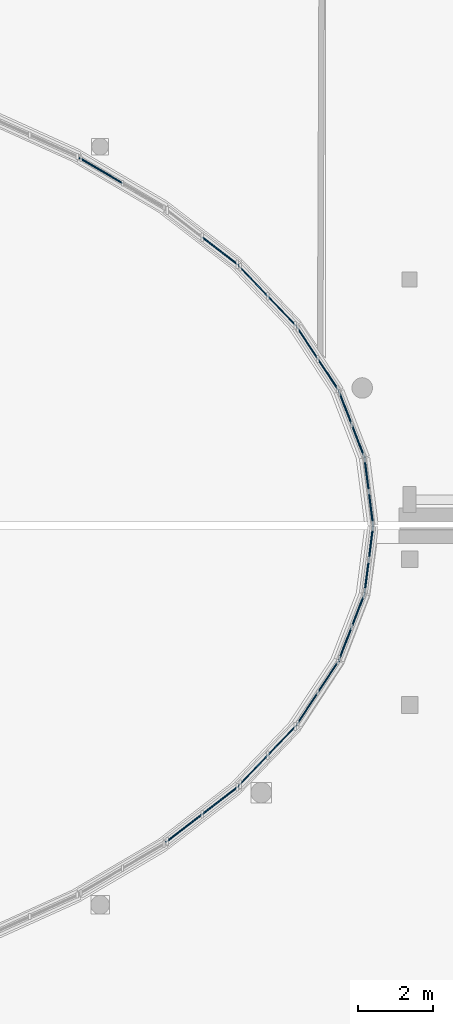
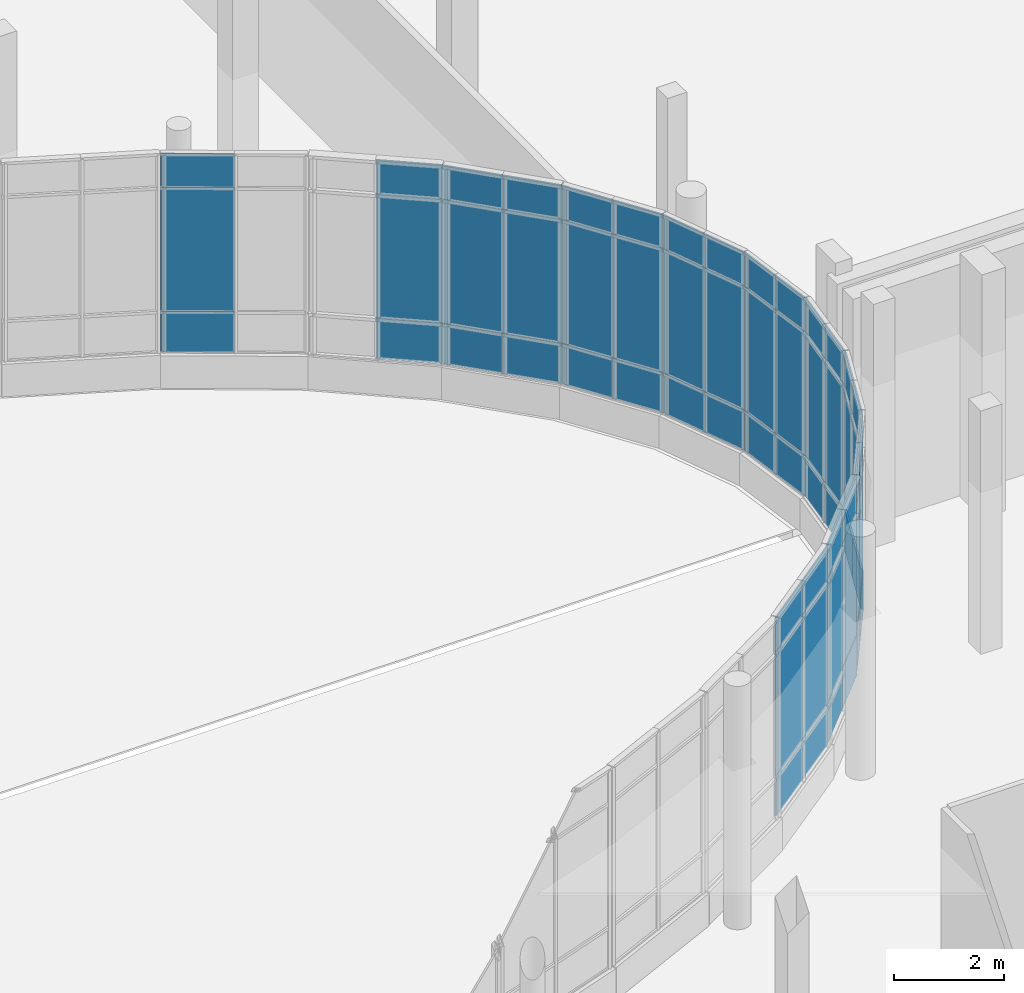
# One storey, part 35 of 84: 60 plates, 11 elements without a shape of their own.
"""IFC4 building model written with IfcOpenShell, lengths in metres."""

from ifc_helpers import new_model, si_unit, direction, frame, origin, origin_2d, place, context, subcontext, project, spatial, rectangle, extrude, material, layer, layer_set, type_object, element, aggregate, save


model = new_model("IFC4")

# Units and contexts
model_context = context("Model", 3, precision=1e-05, world=origin(), true_north=direction((0.0, 1.0)))
body_context = subcontext(model_context, "Body", "Model", "MODEL_VIEW")
ifc_project = project(units=[si_unit("LENGTHUNIT", "METRE"), si_unit("AREAUNIT", "SQUARE_METRE"), si_unit("VOLUMEUNIT", "CUBIC_METRE"), si_unit("PLANEANGLEUNIT", "RADIAN"), si_unit("MASSUNIT", "GRAM", prefix="KILO")], contexts=[model_context])

# Site, building, storey
site_placement = place(None, origin())
site = spatial("IfcSite", under=ifc_project, at=site_placement, CompositionType="ELEMENT")
building_placement = place(site_placement, origin())
building = spatial("IfcBuilding", under=site, at=building_placement, Name="Mzevani Central Library", CompositionType="ELEMENT")
storey_placement = place(building_placement, origin())
storey = spatial("IfcBuildingStorey", under=building, at=storey_placement, Name="L00", CompositionType="ELEMENT", Elevation=0.0)

# Curtain wall, plates
ifc_material_1 = material(Name="Thermally broken aluminium and Low-E triple glazing", Category="aluminium")
curtain_wall_type_1 = type_object("IfcCurtainWallType", Name="Reading Hall Northlight Curtain Wall", PredefinedType="NOTDEFINED", material=ifc_material_1)
curtain_wall_1_placement = place(storey_placement, origin())
curtain_wall_1 = element("IfcCurtainWall", 1, at=curtain_wall_1_placement, inside=storey, type_object=curtain_wall_type_1, Name="L00 Elliptical Court Curtain Wall 1", PredefinedType="NOTDEFINED")
ifc_material_2 = material(Name="Thermally broken aluminium AW-6060", Category="aluminium")
ifc_layer_1 = layer(ifc_material_2, 0.0419921875, Name="CW Insulated Spandrel Panel 42")
ifc_layer_set_1 = layer_set([ifc_layer_1], Name="Thermally broken aluminium AW-6060")
plate_type_1 = type_object("IfcPlateType", Name="CW Insulated Spandrel Panel 42", PredefinedType="CURTAIN_PANEL", material=ifc_layer_set_1)
plate_1_placement = place(storey_placement, frame((110.962646484375, 76.4580078125, 0.719970703125), z_axis=(0.0, 0.0, 1.0), x_axis=(-0.126167804319, 0.992008913848, 0.0)))
plate_1 = element("IfcPlate", 2, at=plate_1_placement, type_object=plate_type_1, Name="L00 Elliptical Court Curtain Wall 1 Spandrel Panel 1", PredefinedType="CURTAIN_PANEL", context=body_context, shape_type="SweptSolid", body=[
    extrude(rectangle(XDim=0.90869140625, YDim=0.0419921875, at=origin_2d()), origin(), (0.0, 0.0, 1.0), 0.89990234375),
])
plate_2_placement = place(storey_placement, frame((110.847900390625, 77.359619140625, 0.719970703125), z_axis=(0.0, 0.0, 1.0), x_axis=(-0.126167804319, 0.992008913848, 0.0)))
plate_2 = element("IfcPlate", 3, at=plate_2_placement, type_object=plate_type_1, Name="L00 Elliptical Court Curtain Wall 1 Spandrel Panel 4", PredefinedType="CURTAIN_PANEL", context=body_context, shape_type="SweptSolid", body=[
    extrude(rectangle(XDim=0.90869140625, YDim=0.0419921875, at=origin_2d()), origin(), (0.0, 0.0, 1.0), 0.89990234375),
])

curtain_wall_type_2 = type_object("IfcCurtainWallType", Name="Elliptical Court Unitised Curtain Wall", PredefinedType="NOTDEFINED", material=ifc_material_1)
curtain_wall_2_placement = place(storey_placement, origin())
curtain_wall_2 = element("IfcCurtainWall", 4, at=curtain_wall_2_placement, inside=storey, type_object=curtain_wall_type_2, Name="L00 Elliptical Court Curtain Wall 2", PredefinedType="NOTDEFINED")
plate_3_placement = place(storey_placement, frame((110.61865234375, 78.268310546875, 0.719970703125), z_axis=(0.0, 0.0, 1.0), x_axis=(-0.360061939687, 0.932928400034, 0.0)))
plate_3 = element("IfcPlate", 5, at=plate_3_placement, type_object=plate_type_1, Name="L00 Elliptical Court Curtain Wall 2 Spandrel Panel 1", PredefinedType="CURTAIN_PANEL", context=body_context, shape_type="SweptSolid", body=[
    extrude(rectangle(XDim=0.94970703125, YDim=0.0419921875, at=origin_2d()), origin(), (0.0, 0.0, 1.0), 0.89990234375),
])
plate_4_placement = place(storey_placement, frame((110.276611328125, 79.154296875, 0.719970703125), z_axis=(0.0, 0.0, 1.0), x_axis=(-0.360061939687, 0.932928400034, 0.0)))
plate_4 = element("IfcPlate", 6, at=plate_4_placement, type_object=plate_type_1, Name="L00 Elliptical Court Curtain Wall 2 Spandrel Panel 4", PredefinedType="CURTAIN_PANEL", context=body_context, shape_type="SweptSolid", body=[
    extrude(rectangle(XDim=0.94970703125, YDim=0.0419921875, at=origin_2d()), origin(), (0.0, 0.0, 1.0), 0.89990234375),
])

curtain_wall_3_placement = place(storey_placement, origin())
curtain_wall_3 = element("IfcCurtainWall", 7, at=curtain_wall_3_placement, inside=storey, type_object=curtain_wall_type_2, Name="L00 Elliptical Court Curtain Wall 3", PredefinedType="NOTDEFINED")
plate_5_placement = place(storey_placement, frame((109.82177734375, 80.04052734375, 0.719970703125), z_axis=(0.0, 0.0, 1.0), x_axis=(-0.550027505766, 0.835146539777, 0.0)))
plate_5 = element("IfcPlate", 8, at=plate_5_placement, type_object=plate_type_1, Name="L00 Elliptical Court Curtain Wall 3 Spandrel Panel 1", PredefinedType="CURTAIN_PANEL", context=body_context, shape_type="SweptSolid", body=[
    extrude(rectangle(XDim=1.0244140625, YDim=0.0419921875, at=origin_2d()), origin(), (0.0, 0.0, 1.0), 0.89990234375),
])
plate_6_placement = place(storey_placement, frame((109.25830078125, 80.89599609375, 0.719970703125), z_axis=(0.0, 0.0, 1.0), x_axis=(-0.550027505766, 0.835146539777, 0.0)))
plate_6 = element("IfcPlate", 9, at=plate_6_placement, type_object=plate_type_1, Name="L00 Elliptical Court Curtain Wall 3 Spandrel Panel 4", PredefinedType="CURTAIN_PANEL", context=body_context, shape_type="SweptSolid", body=[
    extrude(rectangle(XDim=1.0244140625, YDim=0.0419921875, at=origin_2d()), origin(), (0.0, 0.0, 1.0), 0.89990234375),
])

curtain_wall_4_placement = place(storey_placement, origin())
curtain_wall_4 = element("IfcCurtainWall", 10, at=curtain_wall_4_placement, inside=storey, type_object=curtain_wall_type_1, Name="L00 Elliptical Court Curtain Wall 4", PredefinedType="NOTDEFINED")
plate_7_placement = place(storey_placement, frame((108.585693359375, 81.7451171875, 0.719970703125), z_axis=(0.0, 0.0, 1.0), x_axis=(-0.691351660869, 0.722518429532, 0.0)))
plate_7 = element("IfcPlate", 11, at=plate_7_placement, type_object=plate_type_1, Name="L00 Elliptical Court Curtain Wall 4 Spandrel Panel 1", PredefinedType="CURTAIN_PANEL", context=body_context, shape_type="SweptSolid", body=[
    extrude(rectangle(XDim=1.121337890625, YDim=0.0419921875, at=origin_2d()), origin(), (0.0, 0.0, 1.0), 0.89990234375),
])
plate_8_placement = place(storey_placement, frame((107.810302734375, 82.55517578125, 0.719970703125), z_axis=(0.0, 0.0, 1.0), x_axis=(-0.691351660869, 0.722518429532, 0.0)))
plate_8 = element("IfcPlate", 12, at=plate_8_placement, type_object=plate_type_1, Name="L00 Elliptical Court Curtain Wall 4 Spandrel Panel 4", PredefinedType="CURTAIN_PANEL", context=body_context, shape_type="SweptSolid", body=[
    extrude(rectangle(XDim=1.121337890625, YDim=0.0419921875, at=origin_2d()), origin(), (0.0, 0.0, 1.0), 0.89990234375),
])

# Curtain wall, plate
curtain_wall_5_placement = place(storey_placement, origin())
curtain_wall_5 = element("IfcCurtainWall", 13, at=curtain_wall_5_placement, inside=storey, type_object=curtain_wall_type_2, Name="L00 Elliptical Court Curtain Wall 5", PredefinedType="NOTDEFINED")
plate_9_placement = place(storey_placement, frame((106.9306640625, 83.353271484375, 0.719970703125), z_axis=(0.0, 0.0, 1.0), x_axis=(-0.791828313632, 0.610743744734, 0.0)))
plate_9 = element("IfcPlate", 14, at=plate_9_placement, type_object=plate_type_1, Name="L00 Elliptical Court Curtain Wall 5 Spandrel Panel 1", PredefinedType="CURTAIN_PANEL", context=body_context, shape_type="SweptSolid", body=[
    extrude(rectangle(XDim=1.229736328125, YDim=0.0419921875, at=origin_2d()), origin(), (0.0, 0.0, 1.0), 0.89990234375),
])

curtain_wall_6_placement = place(storey_placement, origin())
curtain_wall_6 = element("IfcCurtainWall", 15, at=curtain_wall_6_placement, inside=storey, type_object=curtain_wall_type_2, Name="L00 Elliptical Court Curtain Wall 6", PredefinedType="NOTDEFINED")
plate_10_placement = place(storey_placement, frame((103.728759765625, 85.517822265625, 0.719970703125), z_axis=(0.0, 0.0, 1.0), x_axis=(-0.862137189544, 0.506674911956, 0.0)))
plate_10 = element("IfcPlate", 16, at=plate_10_placement, type_object=plate_type_1, Name="L00 Elliptical Court Curtain Wall 6 Spandrel Panel 4", PredefinedType="CURTAIN_PANEL", context=body_context, shape_type="SweptSolid", body=[
    extrude(rectangle(XDim=1.340576171875, YDim=0.0419921875, at=origin_2d()), origin(), (0.0, 0.0, 1.0), 0.89990234375),
])

# Curtain wall, plates
curtain_wall_7_placement = place(storey_placement, origin())
curtain_wall_7 = element("IfcCurtainWall", 17, at=curtain_wall_7_placement, inside=storey, type_object=curtain_wall_type_2, Name="L00 Elliptical Court Curtain Wall 44", PredefinedType="NOTDEFINED")
plate_11_placement = place(storey_placement, frame((105.956787109375, 67.8955078125, 0.719970703125), z_axis=(0.0, 0.0, 1.0), x_axis=(0.791828313632, 0.610743744734, 0.0)))
plate_11 = element("IfcPlate", 18, at=plate_11_placement, type_object=plate_type_1, Name="L00 Elliptical Court Curtain Wall 44 Spandrel Panel 1", PredefinedType="CURTAIN_PANEL", context=body_context, shape_type="SweptSolid", body=[
    extrude(rectangle(XDim=1.229736328125, YDim=0.0419921875, at=origin_2d()), origin(), (0.0, 0.0, 1.0), 0.89990234375),
])
plate_12_placement = place(storey_placement, frame((106.9306640625, 68.646728515625, 0.719970703125), z_axis=(0.0, 0.0, 1.0), x_axis=(0.791828313632, 0.610743744734, 0.0)))
plate_12 = element("IfcPlate", 19, at=plate_12_placement, type_object=plate_type_1, Name="L00 Elliptical Court Curtain Wall 44 Spandrel Panel 4", PredefinedType="CURTAIN_PANEL", context=body_context, shape_type="SweptSolid", body=[
    extrude(rectangle(XDim=1.229736328125, YDim=0.0419921875, at=origin_2d()), origin(), (0.0, 0.0, 1.0), 0.89990234375),
])

curtain_wall_8_placement = place(storey_placement, origin())
curtain_wall_8 = element("IfcCurtainWall", 20, at=curtain_wall_8_placement, inside=storey, type_object=curtain_wall_type_2, Name="L00 Elliptical Court Curtain Wall 45", PredefinedType="NOTDEFINED")
plate_13_placement = place(storey_placement, frame((107.810302734375, 69.44482421875, 0.719970703125), z_axis=(0.0, 0.0, 1.0), x_axis=(0.691351660869, 0.722518429532, 0.0)))
plate_13 = element("IfcPlate", 21, at=plate_13_placement, type_object=plate_type_1, Name="L00 Elliptical Court Curtain Wall 45 Spandrel Panel 1", PredefinedType="CURTAIN_PANEL", context=body_context, shape_type="SweptSolid", body=[
    extrude(rectangle(XDim=1.121337890625, YDim=0.0419921875, at=origin_2d()), origin(), (0.0, 0.0, 1.0), 0.89990234375),
])
plate_14_placement = place(storey_placement, frame((108.585693359375, 70.2548828125, 0.719970703125), z_axis=(0.0, 0.0, 1.0), x_axis=(0.691351660869, 0.722518429532, 0.0)))
plate_14 = element("IfcPlate", 22, at=plate_14_placement, type_object=plate_type_1, Name="L00 Elliptical Court Curtain Wall 45 Spandrel Panel 4", PredefinedType="CURTAIN_PANEL", context=body_context, shape_type="SweptSolid", body=[
    extrude(rectangle(XDim=1.121337890625, YDim=0.0419921875, at=origin_2d()), origin(), (0.0, 0.0, 1.0), 0.89990234375),
])

curtain_wall_9_placement = place(storey_placement, origin())
curtain_wall_9 = element("IfcCurtainWall", 23, at=curtain_wall_9_placement, inside=storey, type_object=curtain_wall_type_1, Name="L00 Elliptical Court Curtain Wall 46", PredefinedType="NOTDEFINED")
plate_15_placement = place(storey_placement, frame((109.25830078125, 71.10400390625, 0.719970703125), z_axis=(0.0, 0.0, 1.0), x_axis=(0.550027505766, 0.835146539777, 0.0)))
plate_15 = element("IfcPlate", 24, at=plate_15_placement, type_object=plate_type_1, Name="L00 Elliptical Court Curtain Wall 46 Spandrel Panel 1", PredefinedType="CURTAIN_PANEL", context=body_context, shape_type="SweptSolid", body=[
    extrude(rectangle(XDim=1.0244140625, YDim=0.0419921875, at=origin_2d()), origin(), (0.0, 0.0, 1.0), 0.89990234375),
])
plate_16_placement = place(storey_placement, frame((109.82177734375, 71.95947265625, 0.719970703125), z_axis=(0.0, 0.0, 1.0), x_axis=(0.550027505766, 0.835146539777, 0.0)))
plate_16 = element("IfcPlate", 25, at=plate_16_placement, type_object=plate_type_1, Name="L00 Elliptical Court Curtain Wall 46 Spandrel Panel 4", PredefinedType="CURTAIN_PANEL", context=body_context, shape_type="SweptSolid", body=[
    extrude(rectangle(XDim=1.0244140625, YDim=0.0419921875, at=origin_2d()), origin(), (0.0, 0.0, 1.0), 0.89990234375),
])

curtain_wall_10_placement = place(storey_placement, origin())
curtain_wall_10 = element("IfcCurtainWall", 26, at=curtain_wall_10_placement, inside=storey, type_object=curtain_wall_type_2, Name="L00 Elliptical Court Curtain Wall 47", PredefinedType="NOTDEFINED")
plate_17_placement = place(storey_placement, frame((110.276611328125, 72.845703125, 0.719970703125), z_axis=(0.0, 0.0, 1.0), x_axis=(0.360061939687, 0.932928400034, 0.0)))
plate_17 = element("IfcPlate", 27, at=plate_17_placement, type_object=plate_type_1, Name="L00 Elliptical Court Curtain Wall 47 Spandrel Panel 1", PredefinedType="CURTAIN_PANEL", context=body_context, shape_type="SweptSolid", body=[
    extrude(rectangle(XDim=0.94970703125, YDim=0.0419921875, at=origin_2d()), origin(), (0.0, 0.0, 1.0), 0.89990234375),
])
plate_18_placement = place(storey_placement, frame((110.61865234375, 73.731689453125, 0.719970703125), z_axis=(0.0, 0.0, 1.0), x_axis=(0.360061939687, 0.932928400034, 0.0)))
plate_18 = element("IfcPlate", 28, at=plate_18_placement, type_object=plate_type_1, Name="L00 Elliptical Court Curtain Wall 47 Spandrel Panel 4", PredefinedType="CURTAIN_PANEL", context=body_context, shape_type="SweptSolid", body=[
    extrude(rectangle(XDim=0.94970703125, YDim=0.0419921875, at=origin_2d()), origin(), (0.0, 0.0, 1.0), 0.89990234375),
])

curtain_wall_11_placement = place(storey_placement, origin())
curtain_wall_11 = element("IfcCurtainWall", 29, at=curtain_wall_11_placement, inside=storey, type_object=curtain_wall_type_2, Name="L00 Elliptical Court Curtain Wall 48", PredefinedType="NOTDEFINED")
plate_19_placement = place(storey_placement, frame((110.847900390625, 74.640380859375, 0.719970703125), z_axis=(0.0, 0.0, 1.0), x_axis=(0.126167804319, 0.992008913848, 0.0)))
plate_19 = element("IfcPlate", 30, at=plate_19_placement, type_object=plate_type_1, Name="L00 Elliptical Court Curtain Wall 48 Spandrel Panel 1", PredefinedType="CURTAIN_PANEL", context=body_context, shape_type="SweptSolid", body=[
    extrude(rectangle(XDim=0.90869140625, YDim=0.0419921875, at=origin_2d()), origin(), (0.0, 0.0, 1.0), 0.89990234375),
])
plate_20_placement = place(storey_placement, frame((110.962646484375, 75.5419921875, 0.719970703125), z_axis=(0.0, 0.0, 1.0), x_axis=(0.126167804319, 0.992008913848, 0.0)))
plate_20 = element("IfcPlate", 31, at=plate_20_placement, type_object=plate_type_1, Name="L00 Elliptical Court Curtain Wall 48 Spandrel Panel 4", PredefinedType="CURTAIN_PANEL", context=body_context, shape_type="SweptSolid", body=[
    extrude(rectangle(XDim=0.90869140625, YDim=0.0419921875, at=origin_2d()), origin(), (0.0, 0.0, 1.0), 0.89990234375),
])

# Plate
ifc_material_3 = material(Name="Low-E triple glazing glass", Category="glass")
ifc_layer_2 = layer(ifc_material_3, 0.028076171875, Name="CW Triple Glazed Vision Panel 28")
ifc_layer_set_2 = layer_set([ifc_layer_2], Name="Low-E triple glazing glass")
plate_type_2 = type_object("IfcPlateType", Name="CW Triple Glazed Vision Panel 28", PredefinedType="CURTAIN_PANEL", material=ifc_layer_set_2)
plate_21_placement = place(storey_placement, frame((110.962646484375, 76.4580078125, 1.6201171875), z_axis=(0.0, 0.0, 1.0), x_axis=(-0.126167804319, 0.992008913848, 0.0)))
plate_21 = element("IfcPlate", 32, at=plate_21_placement, type_object=plate_type_2, Name="L00 Elliptical Court Curtain Wall 1 Vision Panel 2", PredefinedType="CURTAIN_PANEL", context=body_context, shape_type="SweptSolid", body=[
    extrude(rectangle(XDim=0.90869140625, YDim=0.028076171875, at=origin_2d()), origin(), (0.0, 0.0, 1.0), 2.75),
])

plate_22_placement = place(storey_placement, frame((110.962646484375, 76.4580078125, 4.3701171875), z_axis=(0.0, 0.0, 1.0), x_axis=(-0.126167804319, 0.992008913848, 0.0)))
plate_22 = element("IfcPlate", 33, at=plate_22_placement, type_object=plate_type_2, Name="L00 Elliptical Court Curtain Wall 1 Vision Panel 3", PredefinedType="CURTAIN_PANEL", context=body_context, shape_type="SweptSolid", body=[
    extrude(rectangle(XDim=0.90869140625, YDim=0.028076171875, at=origin_2d()), origin(), (0.0, 0.0, 1.0), 0.75),
])

plate_23_placement = place(storey_placement, frame((110.847900390625, 77.359619140625, 1.6201171875), z_axis=(0.0, 0.0, 1.0), x_axis=(-0.126167804319, 0.992008913848, 0.0)))
plate_23 = element("IfcPlate", 34, at=plate_23_placement, type_object=plate_type_2, Name="L00 Elliptical Court Curtain Wall 1 Vision Panel 5", PredefinedType="CURTAIN_PANEL", context=body_context, shape_type="SweptSolid", body=[
    extrude(rectangle(XDim=0.90869140625, YDim=0.028076171875, at=origin_2d()), origin(), (0.0, 0.0, 1.0), 2.75),
])

plate_24_placement = place(storey_placement, frame((110.847900390625, 77.359619140625, 4.3701171875), z_axis=(0.0, 0.0, 1.0), x_axis=(-0.126167804319, 0.992008913848, 0.0)))
plate_24 = element("IfcPlate", 35, at=plate_24_placement, type_object=plate_type_2, Name="L00 Elliptical Court Curtain Wall 1 Vision Panel 6", PredefinedType="CURTAIN_PANEL", context=body_context, shape_type="SweptSolid", body=[
    extrude(rectangle(XDim=0.90869140625, YDim=0.028076171875, at=origin_2d()), origin(), (0.0, 0.0, 1.0), 0.75),
])

aggregate(curtain_wall_1, [plate_1, plate_21, plate_22, plate_2, plate_23, plate_24])

plate_25_placement = place(storey_placement, frame((110.61865234375, 78.268310546875, 1.6201171875), z_axis=(0.0, 0.0, 1.0), x_axis=(-0.360061939687, 0.932928400034, 0.0)))
plate_25 = element("IfcPlate", 36, at=plate_25_placement, type_object=plate_type_2, Name="L00 Elliptical Court Curtain Wall 2 Vision Panel 2", PredefinedType="CURTAIN_PANEL", context=body_context, shape_type="SweptSolid", body=[
    extrude(rectangle(XDim=0.94970703125, YDim=0.028076171875, at=origin_2d()), origin(), (0.0, 0.0, 1.0), 2.75),
])

plate_26_placement = place(storey_placement, frame((110.61865234375, 78.268310546875, 4.3701171875), z_axis=(0.0, 0.0, 1.0), x_axis=(-0.360061939687, 0.932928400034, 0.0)))
plate_26 = element("IfcPlate", 37, at=plate_26_placement, type_object=plate_type_2, Name="L00 Elliptical Court Curtain Wall 2 Vision Panel 3", PredefinedType="CURTAIN_PANEL", context=body_context, shape_type="SweptSolid", body=[
    extrude(rectangle(XDim=0.94970703125, YDim=0.028076171875, at=origin_2d()), origin(), (0.0, 0.0, 1.0), 0.75),
])

plate_27_placement = place(storey_placement, frame((110.276611328125, 79.154296875, 1.6201171875), z_axis=(0.0, 0.0, 1.0), x_axis=(-0.360061939687, 0.932928400034, 0.0)))
plate_27 = element("IfcPlate", 38, at=plate_27_placement, type_object=plate_type_2, Name="L00 Elliptical Court Curtain Wall 2 Vision Panel 5", PredefinedType="CURTAIN_PANEL", context=body_context, shape_type="SweptSolid", body=[
    extrude(rectangle(XDim=0.94970703125, YDim=0.028076171875, at=origin_2d()), origin(), (0.0, 0.0, 1.0), 2.75),
])

plate_28_placement = place(storey_placement, frame((110.276611328125, 79.154296875, 4.3701171875), z_axis=(0.0, 0.0, 1.0), x_axis=(-0.360061939687, 0.932928400034, 0.0)))
plate_28 = element("IfcPlate", 39, at=plate_28_placement, type_object=plate_type_2, Name="L00 Elliptical Court Curtain Wall 2 Vision Panel 6", PredefinedType="CURTAIN_PANEL", context=body_context, shape_type="SweptSolid", body=[
    extrude(rectangle(XDim=0.94970703125, YDim=0.028076171875, at=origin_2d()), origin(), (0.0, 0.0, 1.0), 0.75),
])

aggregate(curtain_wall_2, [plate_3, plate_25, plate_26, plate_4, plate_27, plate_28])

plate_29_placement = place(storey_placement, frame((109.82177734375, 80.04052734375, 1.6201171875), z_axis=(0.0, 0.0, 1.0), x_axis=(-0.550027505766, 0.835146539777, 0.0)))
plate_29 = element("IfcPlate", 40, at=plate_29_placement, type_object=plate_type_2, Name="L00 Elliptical Court Curtain Wall 3 Vision Panel 2", PredefinedType="CURTAIN_PANEL", context=body_context, shape_type="SweptSolid", body=[
    extrude(rectangle(XDim=1.0244140625, YDim=0.028076171875, at=origin_2d()), origin(), (0.0, 0.0, 1.0), 2.75),
])

plate_30_placement = place(storey_placement, frame((109.82177734375, 80.04052734375, 4.3701171875), z_axis=(0.0, 0.0, 1.0), x_axis=(-0.550027505766, 0.835146539777, 0.0)))
plate_30 = element("IfcPlate", 41, at=plate_30_placement, type_object=plate_type_2, Name="L00 Elliptical Court Curtain Wall 3 Vision Panel 3", PredefinedType="CURTAIN_PANEL", context=body_context, shape_type="SweptSolid", body=[
    extrude(rectangle(XDim=1.0244140625, YDim=0.028076171875, at=origin_2d()), origin(), (0.0, 0.0, 1.0), 0.75),
])

plate_31_placement = place(storey_placement, frame((109.25830078125, 80.89599609375, 1.6201171875), z_axis=(0.0, 0.0, 1.0), x_axis=(-0.550027505766, 0.835146539777, 0.0)))
plate_31 = element("IfcPlate", 42, at=plate_31_placement, type_object=plate_type_2, Name="L00 Elliptical Court Curtain Wall 3 Vision Panel 5", PredefinedType="CURTAIN_PANEL", context=body_context, shape_type="SweptSolid", body=[
    extrude(rectangle(XDim=1.0244140625, YDim=0.028076171875, at=origin_2d()), origin(), (0.0, 0.0, 1.0), 2.75),
])

plate_32_placement = place(storey_placement, frame((109.25830078125, 80.89599609375, 4.3701171875), z_axis=(0.0, 0.0, 1.0), x_axis=(-0.550027505766, 0.835146539777, 0.0)))
plate_32 = element("IfcPlate", 43, at=plate_32_placement, type_object=plate_type_2, Name="L00 Elliptical Court Curtain Wall 3 Vision Panel 6", PredefinedType="CURTAIN_PANEL", context=body_context, shape_type="SweptSolid", body=[
    extrude(rectangle(XDim=1.0244140625, YDim=0.028076171875, at=origin_2d()), origin(), (0.0, 0.0, 1.0), 0.75),
])

aggregate(curtain_wall_3, [plate_5, plate_29, plate_30, plate_6, plate_31, plate_32])

plate_33_placement = place(storey_placement, frame((108.585693359375, 81.7451171875, 1.6201171875), z_axis=(0.0, 0.0, 1.0), x_axis=(-0.691351660869, 0.722518429532, 0.0)))
plate_33 = element("IfcPlate", 44, at=plate_33_placement, type_object=plate_type_2, Name="L00 Elliptical Court Curtain Wall 4 Vision Panel 2", PredefinedType="CURTAIN_PANEL", context=body_context, shape_type="SweptSolid", body=[
    extrude(rectangle(XDim=1.121337890625, YDim=0.028076171875, at=origin_2d()), origin(), (0.0, 0.0, 1.0), 2.75),
])

plate_34_placement = place(storey_placement, frame((108.585693359375, 81.7451171875, 4.3701171875), z_axis=(0.0, 0.0, 1.0), x_axis=(-0.691351660869, 0.722518429532, 0.0)))
plate_34 = element("IfcPlate", 45, at=plate_34_placement, type_object=plate_type_2, Name="L00 Elliptical Court Curtain Wall 4 Vision Panel 3", PredefinedType="CURTAIN_PANEL", context=body_context, shape_type="SweptSolid", body=[
    extrude(rectangle(XDim=1.121337890625, YDim=0.028076171875, at=origin_2d()), origin(), (0.0, 0.0, 1.0), 0.75),
])

plate_35_placement = place(storey_placement, frame((107.810302734375, 82.55517578125, 1.6201171875), z_axis=(0.0, 0.0, 1.0), x_axis=(-0.691351660869, 0.722518429532, 0.0)))
plate_35 = element("IfcPlate", 46, at=plate_35_placement, type_object=plate_type_2, Name="L00 Elliptical Court Curtain Wall 4 Vision Panel 5", PredefinedType="CURTAIN_PANEL", context=body_context, shape_type="SweptSolid", body=[
    extrude(rectangle(XDim=1.121337890625, YDim=0.028076171875, at=origin_2d()), origin(), (0.0, 0.0, 1.0), 2.75),
])

plate_36_placement = place(storey_placement, frame((107.810302734375, 82.55517578125, 4.3701171875), z_axis=(0.0, 0.0, 1.0), x_axis=(-0.691351660869, 0.722518429532, 0.0)))
plate_36 = element("IfcPlate", 47, at=plate_36_placement, type_object=plate_type_2, Name="L00 Elliptical Court Curtain Wall 4 Vision Panel 6", PredefinedType="CURTAIN_PANEL", context=body_context, shape_type="SweptSolid", body=[
    extrude(rectangle(XDim=1.121337890625, YDim=0.028076171875, at=origin_2d()), origin(), (0.0, 0.0, 1.0), 0.75),
])

aggregate(curtain_wall_4, [plate_7, plate_33, plate_34, plate_8, plate_35, plate_36])

plate_37_placement = place(storey_placement, frame((106.9306640625, 83.353271484375, 1.6201171875), z_axis=(0.0, 0.0, 1.0), x_axis=(-0.791828313632, 0.610743744734, 0.0)))
plate_37 = element("IfcPlate", 48, at=plate_37_placement, type_object=plate_type_2, Name="L00 Elliptical Court Curtain Wall 5 Vision Panel 2", PredefinedType="CURTAIN_PANEL", context=body_context, shape_type="SweptSolid", body=[
    extrude(rectangle(XDim=1.229736328125, YDim=0.028076171875, at=origin_2d()), origin(), (0.0, 0.0, 1.0), 2.75),
])

plate_38_placement = place(storey_placement, frame((106.9306640625, 83.353271484375, 4.3701171875), z_axis=(0.0, 0.0, 1.0), x_axis=(-0.791828313632, 0.610743744734, 0.0)))
plate_38 = element("IfcPlate", 49, at=plate_38_placement, type_object=plate_type_2, Name="L00 Elliptical Court Curtain Wall 5 Vision Panel 3", PredefinedType="CURTAIN_PANEL", context=body_context, shape_type="SweptSolid", body=[
    extrude(rectangle(XDim=1.229736328125, YDim=0.028076171875, at=origin_2d()), origin(), (0.0, 0.0, 1.0), 0.75),
])

aggregate(curtain_wall_5, [plate_9, plate_37, plate_38])

plate_39_placement = place(storey_placement, frame((103.728759765625, 85.517822265625, 1.6201171875), z_axis=(0.0, 0.0, 1.0), x_axis=(-0.862137189544, 0.506674911956, 0.0)))
plate_39 = element("IfcPlate", 50, at=plate_39_placement, type_object=plate_type_2, Name="L00 Elliptical Court Curtain Wall 6 Vision Panel 5", PredefinedType="CURTAIN_PANEL", context=body_context, shape_type="SweptSolid", body=[
    extrude(rectangle(XDim=1.340576171875, YDim=0.028076171875, at=origin_2d()), origin(), (0.0, 0.0, 1.0), 2.75),
])

plate_40_placement = place(storey_placement, frame((103.728759765625, 85.517822265625, 4.3701171875), z_axis=(0.0, 0.0, 1.0), x_axis=(-0.862137189544, 0.506674911956, 0.0)))
plate_40 = element("IfcPlate", 51, at=plate_40_placement, type_object=plate_type_2, Name="L00 Elliptical Court Curtain Wall 6 Vision Panel 6", PredefinedType="CURTAIN_PANEL", context=body_context, shape_type="SweptSolid", body=[
    extrude(rectangle(XDim=1.340576171875, YDim=0.028076171875, at=origin_2d()), origin(), (0.0, 0.0, 1.0), 0.75),
])

aggregate(curtain_wall_6, [plate_10, plate_39, plate_40])

plate_41_placement = place(storey_placement, frame((105.956787109375, 67.8955078125, 1.6201171875), z_axis=(0.0, 0.0, 1.0), x_axis=(0.791828313632, 0.610743744734, 0.0)))
plate_41 = element("IfcPlate", 52, at=plate_41_placement, type_object=plate_type_2, Name="L00 Elliptical Court Curtain Wall 44 Vision Panel 2", PredefinedType="CURTAIN_PANEL", context=body_context, shape_type="SweptSolid", body=[
    extrude(rectangle(XDim=1.229736328125, YDim=0.028076171875, at=origin_2d()), origin(), (0.0, 0.0, 1.0), 2.75),
])

plate_42_placement = place(storey_placement, frame((105.956787109375, 67.8955078125, 4.3701171875), z_axis=(0.0, 0.0, 1.0), x_axis=(0.791828313632, 0.610743744734, 0.0)))
plate_42 = element("IfcPlate", 53, at=plate_42_placement, type_object=plate_type_2, Name="L00 Elliptical Court Curtain Wall 44 Vision Panel 3", PredefinedType="CURTAIN_PANEL", context=body_context, shape_type="SweptSolid", body=[
    extrude(rectangle(XDim=1.229736328125, YDim=0.028076171875, at=origin_2d()), origin(), (0.0, 0.0, 1.0), 0.75),
])

plate_43_placement = place(storey_placement, frame((106.9306640625, 68.646728515625, 1.6201171875), z_axis=(0.0, 0.0, 1.0), x_axis=(0.791828313632, 0.610743744734, 0.0)))
plate_43 = element("IfcPlate", 54, at=plate_43_placement, type_object=plate_type_2, Name="L00 Elliptical Court Curtain Wall 44 Vision Panel 5", PredefinedType="CURTAIN_PANEL", context=body_context, shape_type="SweptSolid", body=[
    extrude(rectangle(XDim=1.229736328125, YDim=0.028076171875, at=origin_2d()), origin(), (0.0, 0.0, 1.0), 2.75),
])

plate_44_placement = place(storey_placement, frame((106.9306640625, 68.646728515625, 4.3701171875), z_axis=(0.0, 0.0, 1.0), x_axis=(0.791828313632, 0.610743744734, 0.0)))
plate_44 = element("IfcPlate", 55, at=plate_44_placement, type_object=plate_type_2, Name="L00 Elliptical Court Curtain Wall 44 Vision Panel 6", PredefinedType="CURTAIN_PANEL", context=body_context, shape_type="SweptSolid", body=[
    extrude(rectangle(XDim=1.229736328125, YDim=0.028076171875, at=origin_2d()), origin(), (0.0, 0.0, 1.0), 0.75),
])

aggregate(curtain_wall_7, [plate_11, plate_41, plate_42, plate_12, plate_43, plate_44])

plate_45_placement = place(storey_placement, frame((107.810302734375, 69.44482421875, 1.6201171875), z_axis=(0.0, 0.0, 1.0), x_axis=(0.691351660869, 0.722518429532, 0.0)))
plate_45 = element("IfcPlate", 56, at=plate_45_placement, type_object=plate_type_2, Name="L00 Elliptical Court Curtain Wall 45 Vision Panel 2", PredefinedType="CURTAIN_PANEL", context=body_context, shape_type="SweptSolid", body=[
    extrude(rectangle(XDim=1.121337890625, YDim=0.028076171875, at=origin_2d()), origin(), (0.0, 0.0, 1.0), 2.75),
])

plate_46_placement = place(storey_placement, frame((107.810302734375, 69.44482421875, 4.3701171875), z_axis=(0.0, 0.0, 1.0), x_axis=(0.691351660869, 0.722518429532, 0.0)))
plate_46 = element("IfcPlate", 57, at=plate_46_placement, type_object=plate_type_2, Name="L00 Elliptical Court Curtain Wall 45 Vision Panel 3", PredefinedType="CURTAIN_PANEL", context=body_context, shape_type="SweptSolid", body=[
    extrude(rectangle(XDim=1.121337890625, YDim=0.028076171875, at=origin_2d()), origin(), (0.0, 0.0, 1.0), 0.75),
])

plate_47_placement = place(storey_placement, frame((108.585693359375, 70.2548828125, 1.6201171875), z_axis=(0.0, 0.0, 1.0), x_axis=(0.691351660869, 0.722518429532, 0.0)))
plate_47 = element("IfcPlate", 58, at=plate_47_placement, type_object=plate_type_2, Name="L00 Elliptical Court Curtain Wall 45 Vision Panel 5", PredefinedType="CURTAIN_PANEL", context=body_context, shape_type="SweptSolid", body=[
    extrude(rectangle(XDim=1.121337890625, YDim=0.028076171875, at=origin_2d()), origin(), (0.0, 0.0, 1.0), 2.75),
])

plate_48_placement = place(storey_placement, frame((108.585693359375, 70.2548828125, 4.3701171875), z_axis=(0.0, 0.0, 1.0), x_axis=(0.691351660869, 0.722518429532, 0.0)))
plate_48 = element("IfcPlate", 59, at=plate_48_placement, type_object=plate_type_2, Name="L00 Elliptical Court Curtain Wall 45 Vision Panel 6", PredefinedType="CURTAIN_PANEL", context=body_context, shape_type="SweptSolid", body=[
    extrude(rectangle(XDim=1.121337890625, YDim=0.028076171875, at=origin_2d()), origin(), (0.0, 0.0, 1.0), 0.75),
])

aggregate(curtain_wall_8, [plate_13, plate_45, plate_46, plate_14, plate_47, plate_48])

plate_49_placement = place(storey_placement, frame((109.25830078125, 71.10400390625, 1.6201171875), z_axis=(0.0, 0.0, 1.0), x_axis=(0.550027505766, 0.835146539777, 0.0)))
plate_49 = element("IfcPlate", 60, at=plate_49_placement, type_object=plate_type_2, Name="L00 Elliptical Court Curtain Wall 46 Vision Panel 2", PredefinedType="CURTAIN_PANEL", context=body_context, shape_type="SweptSolid", body=[
    extrude(rectangle(XDim=1.0244140625, YDim=0.028076171875, at=origin_2d()), origin(), (0.0, 0.0, 1.0), 2.75),
])

plate_50_placement = place(storey_placement, frame((109.25830078125, 71.10400390625, 4.3701171875), z_axis=(0.0, 0.0, 1.0), x_axis=(0.550027505766, 0.835146539777, 0.0)))
plate_50 = element("IfcPlate", 61, at=plate_50_placement, type_object=plate_type_2, Name="L00 Elliptical Court Curtain Wall 46 Vision Panel 3", PredefinedType="CURTAIN_PANEL", context=body_context, shape_type="SweptSolid", body=[
    extrude(rectangle(XDim=1.0244140625, YDim=0.028076171875, at=origin_2d()), origin(), (0.0, 0.0, 1.0), 0.75),
])

plate_51_placement = place(storey_placement, frame((109.82177734375, 71.95947265625, 1.6201171875), z_axis=(0.0, 0.0, 1.0), x_axis=(0.550027505766, 0.835146539777, 0.0)))
plate_51 = element("IfcPlate", 62, at=plate_51_placement, type_object=plate_type_2, Name="L00 Elliptical Court Curtain Wall 46 Vision Panel 5", PredefinedType="CURTAIN_PANEL", context=body_context, shape_type="SweptSolid", body=[
    extrude(rectangle(XDim=1.0244140625, YDim=0.028076171875, at=origin_2d()), origin(), (0.0, 0.0, 1.0), 2.75),
])

plate_52_placement = place(storey_placement, frame((109.82177734375, 71.95947265625, 4.3701171875), z_axis=(0.0, 0.0, 1.0), x_axis=(0.550027505766, 0.835146539777, 0.0)))
plate_52 = element("IfcPlate", 63, at=plate_52_placement, type_object=plate_type_2, Name="L00 Elliptical Court Curtain Wall 46 Vision Panel 6", PredefinedType="CURTAIN_PANEL", context=body_context, shape_type="SweptSolid", body=[
    extrude(rectangle(XDim=1.0244140625, YDim=0.028076171875, at=origin_2d()), origin(), (0.0, 0.0, 1.0), 0.75),
])

aggregate(curtain_wall_9, [plate_15, plate_49, plate_50, plate_16, plate_51, plate_52])

plate_53_placement = place(storey_placement, frame((110.276611328125, 72.845703125, 1.6201171875), z_axis=(0.0, 0.0, 1.0), x_axis=(0.360061939687, 0.932928400034, 0.0)))
plate_53 = element("IfcPlate", 64, at=plate_53_placement, type_object=plate_type_2, Name="L00 Elliptical Court Curtain Wall 47 Vision Panel 2", PredefinedType="CURTAIN_PANEL", context=body_context, shape_type="SweptSolid", body=[
    extrude(rectangle(XDim=0.94970703125, YDim=0.028076171875, at=origin_2d()), origin(), (0.0, 0.0, 1.0), 2.75),
])

plate_54_placement = place(storey_placement, frame((110.276611328125, 72.845703125, 4.3701171875), z_axis=(0.0, 0.0, 1.0), x_axis=(0.360061939687, 0.932928400034, 0.0)))
plate_54 = element("IfcPlate", 65, at=plate_54_placement, type_object=plate_type_2, Name="L00 Elliptical Court Curtain Wall 47 Vision Panel 3", PredefinedType="CURTAIN_PANEL", context=body_context, shape_type="SweptSolid", body=[
    extrude(rectangle(XDim=0.94970703125, YDim=0.028076171875, at=origin_2d()), origin(), (0.0, 0.0, 1.0), 0.75),
])

plate_55_placement = place(storey_placement, frame((110.61865234375, 73.731689453125, 1.6201171875), z_axis=(0.0, 0.0, 1.0), x_axis=(0.360061939687, 0.932928400034, 0.0)))
plate_55 = element("IfcPlate", 66, at=plate_55_placement, type_object=plate_type_2, Name="L00 Elliptical Court Curtain Wall 47 Vision Panel 5", PredefinedType="CURTAIN_PANEL", context=body_context, shape_type="SweptSolid", body=[
    extrude(rectangle(XDim=0.94970703125, YDim=0.028076171875, at=origin_2d()), origin(), (0.0, 0.0, 1.0), 2.75),
])

plate_56_placement = place(storey_placement, frame((110.61865234375, 73.731689453125, 4.3701171875), z_axis=(0.0, 0.0, 1.0), x_axis=(0.360061939687, 0.932928400034, 0.0)))
plate_56 = element("IfcPlate", 67, at=plate_56_placement, type_object=plate_type_2, Name="L00 Elliptical Court Curtain Wall 47 Vision Panel 6", PredefinedType="CURTAIN_PANEL", context=body_context, shape_type="SweptSolid", body=[
    extrude(rectangle(XDim=0.94970703125, YDim=0.028076171875, at=origin_2d()), origin(), (0.0, 0.0, 1.0), 0.75),
])

aggregate(curtain_wall_10, [plate_17, plate_53, plate_54, plate_18, plate_55, plate_56])

plate_57_placement = place(storey_placement, frame((110.847900390625, 74.640380859375, 1.6201171875), z_axis=(0.0, 0.0, 1.0), x_axis=(0.126167804319, 0.992008913848, 0.0)))
plate_57 = element("IfcPlate", 68, at=plate_57_placement, type_object=plate_type_2, Name="L00 Elliptical Court Curtain Wall 48 Vision Panel 2", PredefinedType="CURTAIN_PANEL", context=body_context, shape_type="SweptSolid", body=[
    extrude(rectangle(XDim=0.90869140625, YDim=0.028076171875, at=origin_2d()), origin(), (0.0, 0.0, 1.0), 2.75),
])

plate_58_placement = place(storey_placement, frame((110.847900390625, 74.640380859375, 4.3701171875), z_axis=(0.0, 0.0, 1.0), x_axis=(0.126167804319, 0.992008913848, 0.0)))
plate_58 = element("IfcPlate", 69, at=plate_58_placement, type_object=plate_type_2, Name="L00 Elliptical Court Curtain Wall 48 Vision Panel 3", PredefinedType="CURTAIN_PANEL", context=body_context, shape_type="SweptSolid", body=[
    extrude(rectangle(XDim=0.90869140625, YDim=0.028076171875, at=origin_2d()), origin(), (0.0, 0.0, 1.0), 0.75),
])

plate_59_placement = place(storey_placement, frame((110.962646484375, 75.5419921875, 1.6201171875), z_axis=(0.0, 0.0, 1.0), x_axis=(0.126167804319, 0.992008913848, 0.0)))
plate_59 = element("IfcPlate", 70, at=plate_59_placement, type_object=plate_type_2, Name="L00 Elliptical Court Curtain Wall 48 Vision Panel 5", PredefinedType="CURTAIN_PANEL", context=body_context, shape_type="SweptSolid", body=[
    extrude(rectangle(XDim=0.90869140625, YDim=0.028076171875, at=origin_2d()), origin(), (0.0, 0.0, 1.0), 2.75),
])

plate_60_placement = place(storey_placement, frame((110.962646484375, 75.5419921875, 4.3701171875), z_axis=(0.0, 0.0, 1.0), x_axis=(0.126167804319, 0.992008913848, 0.0)))
plate_60 = element("IfcPlate", 71, at=plate_60_placement, type_object=plate_type_2, Name="L00 Elliptical Court Curtain Wall 48 Vision Panel 6", PredefinedType="CURTAIN_PANEL", context=body_context, shape_type="SweptSolid", body=[
    extrude(rectangle(XDim=0.90869140625, YDim=0.028076171875, at=origin_2d()), origin(), (0.0, 0.0, 1.0), 0.75),
])

aggregate(curtain_wall_11, [plate_19, plate_57, plate_58, plate_20, plate_59, plate_60])

save(model, "model.ifc")
